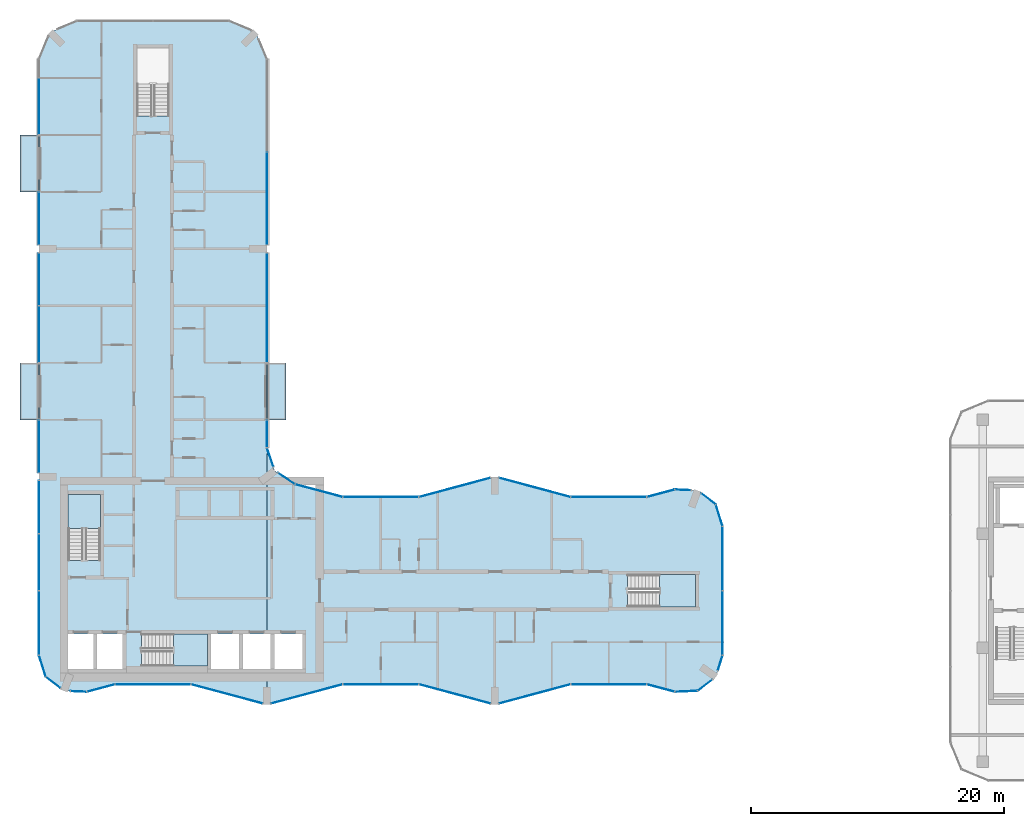
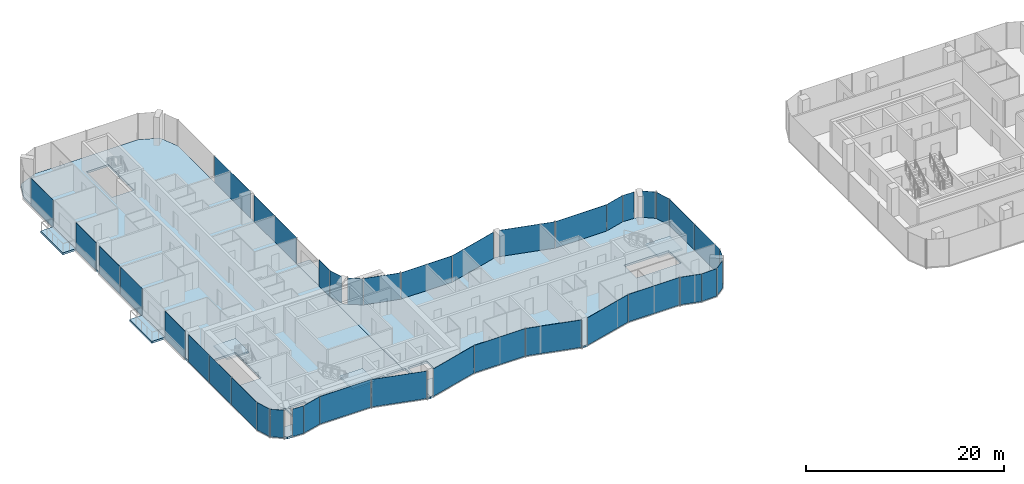
# One storey, part 11 of 22: 39 plates, 8 slabs, 38 elements without a shape of their own.
"""IFC4 building model written with IfcOpenShell, lengths in metres."""

from ifc_helpers import new_model, si_unit, direction, frame, origin, origin_2d, place, context, subcontext, project, spatial, polyline, rectangle, outline, extrude, material, layer, layer_set, type_object, element, aggregate, save


model = new_model("IFC4")

# Units and contexts
model_context = context("Model", 3, precision=1e-05, world=origin(), true_north=direction((0.0, 1.0)))
body_context = subcontext(model_context, "Body", "Model", "MODEL_VIEW")
ifc_project = project(units=[si_unit("LENGTHUNIT", "METRE"), si_unit("AREAUNIT", "SQUARE_METRE"), si_unit("VOLUMEUNIT", "CUBIC_METRE"), si_unit("PLANEANGLEUNIT", "RADIAN"), si_unit("MASSUNIT", "GRAM", prefix="KILO")], contexts=[model_context])

# Site, building, storey
site_placement = place(None, origin())
site = spatial("IfcSite", under=ifc_project, at=site_placement, CompositionType="ELEMENT")
building_placement = place(site_placement, origin())
building = spatial("IfcBuilding", under=site, at=building_placement, Name="Plateau Cross Towers", CompositionType="ELEMENT")
storey_placement = place(building_placement, frame((0.0, 0.0, 109.800048828125)))
storey = spatial("IfcBuildingStorey", under=building, at=storey_placement, Name="L28", CompositionType="ELEMENT", Elevation=109.800048828125)

# Slabs
ifc_material_1 = material(Name="Concrete C40/50", Category="concrete")
ifc_layer_1 = layer(ifc_material_1, 0.25)
ifc_layer_set_1 = layer_set([ifc_layer_1], Name="Concrete C40/50")
slab_type_1 = type_object("IfcSlabType", Name="Balcony slab 250", PredefinedType="FLOOR", material=ifc_layer_set_1)
slab_1_placement = place(storey_placement, frame((0.0, 0.0, -0.25)))
element("IfcSlab", 1, at=slab_1_placement, inside=storey, type_object=slab_type_1, Name="Balcony slab A-BAL-L28-01", PredefinedType="FLOOR", context=body_context, shape_type="SweptSolid", body=[
    extrude(outline(polyline([(0.0, 22.5), (0.0, 27.0), (-1.5, 27.0), (-1.5, 22.5), (0.0, 22.5)])), origin(), (0.0, 0.0, 1.0), 0.25),
])
slab_2_placement = place(storey_placement, frame((0.0, 0.0, -0.25)))
element("IfcSlab", 2, at=slab_2_placement, inside=storey, type_object=slab_type_1, Name="Balcony slab A-BAL-L28-02", PredefinedType="FLOOR", context=body_context, shape_type="SweptSolid", body=[
    extrude(outline(polyline([(0.0, 40.5), (0.0, 45.0), (-1.5, 45.0), (-1.5, 40.5), (0.0, 40.5)])), origin(), (0.0, 0.0, 1.0), 0.25),
])
slab_3_placement = place(storey_placement, frame((0.0, 0.0, -0.25)))
element("IfcSlab", 3, at=slab_3_placement, inside=storey, type_object=slab_type_1, Name="Balcony slab A-BAL-L28-03", PredefinedType="FLOOR", context=body_context, shape_type="SweptSolid", body=[
    extrude(outline(polyline([(19.5, 22.5), (19.5, 27.0), (18.0, 27.0), (18.0, 22.5), (19.5, 22.5)])), origin(), (0.0, 0.0, 1.0), 0.25),
])

# Curtain wall, plate
ifc_material_2 = material(Name="Dark low-iron glass", Category="glass")
ifc_layer_2 = layer(ifc_material_2, 0.239990234375)
ifc_layer_set_2 = layer_set([ifc_layer_2], Name="Dark low-iron glass")
curtain_wall_type_1 = type_object("IfcCurtainWallType", Name="Curtain wall flush unitised CW-B", PredefinedType="NOTDEFINED", material=ifc_layer_set_2)
curtain_wall_1_placement = place(storey_placement, origin())
curtain_wall_1 = element("IfcCurtainWall", 4, at=curtain_wall_1_placement, inside=storey, type_object=curtain_wall_type_1, Name="ENV/A/L28/A502_10", PredefinedType="NOTDEFINED")
ifc_layer_3 = layer(ifc_material_2, 0.031982421875)
ifc_layer_set_3 = layer_set([ifc_layer_3], Name="Dark low-iron glass")
plate_type_1 = type_object("IfcPlateType", Name="Glass panel 32 flush unitised", PredefinedType="CURTAIN_PANEL", material=ifc_layer_set_3)
plate_1_placement = place(storey_placement, frame((51.125, 1.05078125, -0.1298828125), z_axis=(0.0, 0.0, 1.0), x_axis=(0.999043701491, 0.043722791671, 0.0)))
plate_1 = element("IfcPlate", 5, at=plate_1_placement, type_object=plate_type_1, Name="CW-B panel 1", PredefinedType="CURTAIN_PANEL", context=body_context, shape_type="SweptSolid", body=[
    extrude(rectangle(XDim=1.744140625, YDim=0.031982421875, at=origin_2d()), origin(), (0.0, 0.0, 1.0), 3.3798828125),
])
aggregate(curtain_wall_1, [plate_1])

curtain_wall_2_placement = place(storey_placement, origin())
curtain_wall_2 = element("IfcCurtainWall", 6, at=curtain_wall_2_placement, inside=storey, type_object=curtain_wall_type_1, Name="ENV/A/L28/A520_11", PredefinedType="NOTDEFINED")
plate_2_placement = place(storey_placement, frame((52.60986328125, 1.5380859375, -0.1298828125), z_axis=(0.0, 0.0, 1.0), x_axis=(0.793315514529, 0.608810721331, 0.0)))
plate_2 = element("IfcPlate", 7, at=plate_2_placement, type_object=plate_type_1, Name="CW-B panel 1", PredefinedType="CURTAIN_PANEL", context=body_context, shape_type="SweptSolid", body=[
    extrude(rectangle(XDim=1.41162109375, YDim=0.031982421875, at=origin_2d()), origin(), (0.0, 0.0, 1.0), 3.3798828125),
])
aggregate(curtain_wall_2, [plate_2])

curtain_wall_3_placement = place(storey_placement, origin())
curtain_wall_3 = element("IfcCurtainWall", 8, at=curtain_wall_3_placement, inside=storey, type_object=curtain_wall_type_1, Name="ENV/A/L28/A536_27", PredefinedType="NOTDEFINED")
plate_3_placement = place(storey_placement, frame((53.805419921875, 3.292236328125, -0.1298828125), z_axis=(0.0, 0.0, 1.0), x_axis=(0.300686174994, 0.95372313811, 0.0)))
plate_3 = element("IfcPlate", 9, at=plate_3_placement, type_object=plate_type_1, Name="CW-B panel 1", PredefinedType="CURTAIN_PANEL", context=body_context, shape_type="SweptSolid", body=[
    extrude(rectangle(XDim=1.233642578125, YDim=0.031982421875, at=origin_2d()), origin(), (0.0, 0.0, 1.0), 3.3798828125),
])
aggregate(curtain_wall_3, [plate_3])

# Curtain wall, plates
curtain_wall_4_placement = place(storey_placement, origin())
curtain_wall_4 = element("IfcCurtainWall", 10, at=curtain_wall_4_placement, inside=storey, type_object=curtain_wall_type_1, Name="ENV/A/L28/A540_39", PredefinedType="NOTDEFINED")
plate_4_placement = place(storey_placement, frame((54.0, 6.45458984375, -0.1298828125), z_axis=(0.0, 0.0, 1.0), x_axis=(0.0, 1.0, 0.0)))
plate_4 = element("IfcPlate", 11, at=plate_4_placement, type_object=plate_type_1, Name="CW-B panel 1", PredefinedType="CURTAIN_PANEL", context=body_context, shape_type="SweptSolid", body=[
    extrude(rectangle(XDim=5.03076171875, YDim=0.031982421875, at=origin_2d()), origin(), (0.0, 0.0, 1.0), 3.3798828125),
])
plate_5_placement = place(storey_placement, frame((54.0, 11.54541015625, -0.1298828125), z_axis=(0.0, 0.0, 1.0), x_axis=(0.0, 1.0, 0.0)))
plate_5 = element("IfcPlate", 12, at=plate_5_placement, type_object=plate_type_1, Name="CW-B panel 2", PredefinedType="CURTAIN_PANEL", context=body_context, shape_type="SweptSolid", body=[
    extrude(rectangle(XDim=5.03076171875, YDim=0.031982421875, at=origin_2d()), origin(), (0.0, 0.0, 1.0), 3.3798828125),
])
aggregate(curtain_wall_4, [plate_4, plate_5])

# Curtain wall, plate
curtain_wall_5_placement = place(storey_placement, origin())
curtain_wall_5 = element("IfcCurtainWall", 13, at=curtain_wall_5_placement, inside=storey, type_object=curtain_wall_type_1, Name="ENV/A/L28/A540_141", PredefinedType="NOTDEFINED")
plate_6_placement = place(storey_placement, frame((53.728759765625, 14.951171875, -0.1298828125), z_axis=(0.0, 0.0, 1.0), x_axis=(-0.300686174994, 0.95372313811, 0.0)))
plate_6 = element("IfcPlate", 14, at=plate_6_placement, type_object=plate_type_1, Name="CW-B panel 1", PredefinedType="CURTAIN_PANEL", context=body_context, shape_type="SweptSolid", body=[
    extrude(rectangle(XDim=1.744140625, YDim=0.031982421875, at=origin_2d()), origin(), (0.0, 0.0, 1.0), 3.3798828125),
])
aggregate(curtain_wall_5, [plate_6])

curtain_wall_6_placement = place(storey_placement, origin())
curtain_wall_6 = element("IfcCurtainWall", 15, at=curtain_wall_6_placement, inside=storey, type_object=curtain_wall_type_1, Name="ENV/A/L28/A535_158", PredefinedType="NOTDEFINED")
plate_7_placement = place(storey_placement, frame((52.873779296875, 16.25927734375, -0.1298828125), z_axis=(0.0, 0.0, 1.0), x_axis=(-0.793315514529, 0.608810721331, 0.0)))
plate_7 = element("IfcPlate", 16, at=plate_7_placement, type_object=plate_type_1, Name="CW-B panel 1", PredefinedType="CURTAIN_PANEL", context=body_context, shape_type="SweptSolid", body=[
    extrude(rectangle(XDim=1.41162109375, YDim=0.031982421875, at=origin_2d()), origin(), (0.0, 0.0, 1.0), 3.3798828125),
])
aggregate(curtain_wall_6, [plate_7])

curtain_wall_7_placement = place(storey_placement, origin())
curtain_wall_7 = element("IfcCurtainWall", 17, at=curtain_wall_7_placement, inside=storey, type_object=curtain_wall_type_1, Name="ENV/A/L28/A515_169", PredefinedType="NOTDEFINED")
plate_8_placement = place(storey_placement, frame((50.8701171875, 16.96044921875, -0.1298828125), z_axis=(0.0, 0.0, 1.0), x_axis=(-0.999043701491, 0.043722791671, 0.0)))
plate_8 = element("IfcPlate", 18, at=plate_8_placement, type_object=plate_type_1, Name="CW-B panel 1", PredefinedType="CURTAIN_PANEL", context=body_context, shape_type="SweptSolid", body=[
    extrude(rectangle(XDim=1.233642578125, YDim=0.031982421875, at=origin_2d()), origin(), (0.0, 0.0, 1.0), 3.3798828125),
])
aggregate(curtain_wall_7, [plate_8])

curtain_wall_8_placement = place(storey_placement, origin())
curtain_wall_8 = element("IfcCurtainWall", 19, at=curtain_wall_8_placement, inside=storey, type_object=curtain_wall_type_1, Name="ENV/A/L28/A202_174", PredefinedType="NOTDEFINED")
plate_9_placement = place(storey_placement, frame((19.546630859375, 17.856689453125, -0.1298828125), z_axis=(0.0, 0.0, 1.0), x_axis=(-0.831521253329, 0.555492938984, 0.0)))
plate_9 = element("IfcPlate", 20, at=plate_9_placement, type_object=plate_type_1, Name="CW-B panel 1", PredefinedType="CURTAIN_PANEL", context=body_context, shape_type="SweptSolid", body=[
    extrude(rectangle(XDim=1.56884765625, YDim=0.031982421875, at=origin_2d()), origin(), (0.0, 0.0, 1.0), 3.3798828125),
])
aggregate(curtain_wall_8, [plate_9])

curtain_wall_9_placement = place(storey_placement, origin())
curtain_wall_9 = element("IfcCurtainWall", 21, at=curtain_wall_9_placement, inside=storey, type_object=curtain_wall_type_1, Name="ENV/A/L28/A185_188", PredefinedType="NOTDEFINED")
plate_10_placement = place(storey_placement, frame((18.26171875, 19.531005859375, -0.1298828125), z_axis=(0.0, 0.0, 1.0), x_axis=(-0.321469161574, 0.94692004845, 0.0)))
plate_10 = element("IfcPlate", 22, at=plate_10_placement, type_object=plate_type_1, Name="CW-B panel 1", PredefinedType="CURTAIN_PANEL", context=body_context, shape_type="SweptSolid", body=[
    extrude(rectangle(XDim=1.56884765625, YDim=0.031982421875, at=origin_2d()), origin(), (0.0, 0.0, 1.0), 3.3798828125),
])
aggregate(curtain_wall_9, [plate_10])

curtain_wall_10_placement = place(storey_placement, origin())
curtain_wall_10 = element("IfcCurtainWall", 23, at=curtain_wall_10_placement, inside=storey, type_object=curtain_wall_type_1, Name="ENV/A/L28/A180_203", PredefinedType="NOTDEFINED")
plate_11_placement = place(storey_placement, frame((18.0, 21.396240234375, -0.1298828125), z_axis=(0.0, 0.0, 1.0), x_axis=(0.0, 1.0, 0.0)))
plate_11 = element("IfcPlate", 24, at=plate_11_placement, type_object=plate_type_1, Name="CW-B panel 1", PredefinedType="CURTAIN_PANEL", context=body_context, shape_type="SweptSolid", body=[
    extrude(rectangle(XDim=2.127685546875, YDim=0.031982421875, at=origin_2d()), origin(), (0.0, 0.0, 1.0), 3.3798828125),
])
aggregate(curtain_wall_10, [plate_11])

curtain_wall_11_placement = place(storey_placement, origin())
curtain_wall_11 = element("IfcCurtainWall", 25, at=curtain_wall_11_placement, inside=storey, type_object=curtain_wall_type_1, Name="ENV/A/L28/A180_270", PredefinedType="NOTDEFINED")
plate_12_placement = place(storey_placement, frame((18.0, 31.35498046875, -0.1298828125), z_axis=(0.0, 0.0, 1.0), x_axis=(0.0, 1.0, 0.0)))
plate_12 = element("IfcPlate", 26, at=plate_12_placement, type_object=plate_type_1, Name="CW-B panel 1", PredefinedType="CURTAIN_PANEL", context=body_context, shape_type="SweptSolid", body=[
    extrude(rectangle(XDim=8.6298828125, YDim=0.031982421875, at=origin_2d()), origin(), (0.0, 0.0, 1.0), 3.3798828125),
])
aggregate(curtain_wall_11, [plate_12])

curtain_wall_12_placement = place(storey_placement, origin())
curtain_wall_12 = element("IfcCurtainWall", 27, at=curtain_wall_12_placement, inside=storey, type_object=curtain_wall_type_1, Name="ENV/A/L28/A180_363", PredefinedType="NOTDEFINED")
plate_13_placement = place(storey_placement, frame((18.0, 39.97509765625, -0.1298828125), z_axis=(0.0, 0.0, 1.0), x_axis=(0.0, 1.0, 0.0)))
plate_13 = element("IfcPlate", 28, at=plate_13_placement, type_object=plate_type_1, Name="CW-B panel 1", PredefinedType="CURTAIN_PANEL", context=body_context, shape_type="SweptSolid", body=[
    extrude(rectangle(XDim=7.2900390625, YDim=0.031982421875, at=origin_2d()), origin(), (0.0, 0.0, 1.0), 3.3798828125),
])
aggregate(curtain_wall_12, [plate_13])

curtain_wall_13_placement = place(storey_placement, origin())
curtain_wall_13 = element("IfcCurtainWall", 29, at=curtain_wall_13_placement, inside=storey, type_object=curtain_wall_type_1, Name="ENV/A/L28/A0_510", PredefinedType="NOTDEFINED")
plate_14_placement = place(storey_placement, frame((0.0, 47.2548828125, -0.1298828125), z_axis=(0.0, 0.0, 1.0), x_axis=(0.0, -1.0, 0.0)))
plate_14 = element("IfcPlate", 30, at=plate_14_placement, type_object=plate_type_1, Name="CW-B panel 2", PredefinedType="CURTAIN_PANEL", context=body_context, shape_type="SweptSolid", body=[
    extrude(rectangle(XDim=4.429931640625, YDim=0.031982421875, at=origin_2d()), origin(), (0.0, 0.0, 1.0), 3.3798828125),
])
aggregate(curtain_wall_13, [plate_14])

curtain_wall_14_placement = place(storey_placement, origin())
curtain_wall_14 = element("IfcCurtainWall", 31, at=curtain_wall_14_placement, inside=storey, type_object=curtain_wall_type_1, Name="ENV/A/L28/A0_405", PredefinedType="NOTDEFINED")
plate_15_placement = place(storey_placement, frame((0.0, 38.39501953125, -0.1298828125), z_axis=(0.0, 0.0, 1.0), x_axis=(0.0, -1.0, 0.0)))
plate_15 = element("IfcPlate", 32, at=plate_15_placement, type_object=plate_type_1, Name="CW-B panel 1", PredefinedType="CURTAIN_PANEL", context=body_context, shape_type="SweptSolid", body=[
    extrude(rectangle(XDim=4.1298828125, YDim=0.031982421875, at=origin_2d()), origin(), (0.0, 0.0, 1.0), 3.3798828125),
])
aggregate(curtain_wall_14, [plate_15])

# Curtain wall, plates
curtain_wall_15_placement = place(storey_placement, origin())
curtain_wall_15 = element("IfcCurtainWall", 33, at=curtain_wall_15_placement, inside=storey, type_object=curtain_wall_type_1, Name="ENV/A/L28/A0_357", PredefinedType="NOTDEFINED")
plate_16_placement = place(storey_placement, frame((0.0, 33.60009765625, -0.1298828125), z_axis=(0.0, 0.0, 1.0), x_axis=(0.0, -1.0, 0.0)))
plate_16 = element("IfcPlate", 34, at=plate_16_placement, type_object=plate_type_1, Name="CW-B panel 1", PredefinedType="CURTAIN_PANEL", context=body_context, shape_type="SweptSolid", body=[
    extrude(rectangle(XDim=4.139892578125, YDim=0.031982421875, at=origin_2d()), origin(), (0.0, 0.0, 1.0), 3.3798828125),
])
plate_17_placement = place(storey_placement, frame((0.0, 29.2548828125, -0.1298828125), z_axis=(0.0, 0.0, 1.0), x_axis=(0.0, -1.0, 0.0)))
plate_17 = element("IfcPlate", 35, at=plate_17_placement, type_object=plate_type_1, Name="CW-B panel 2", PredefinedType="CURTAIN_PANEL", context=body_context, shape_type="SweptSolid", body=[
    extrude(rectangle(XDim=4.429931640625, YDim=0.031982421875, at=origin_2d()), origin(), (0.0, 0.0, 1.0), 3.3798828125),
])
aggregate(curtain_wall_15, [plate_16, plate_17])

# Curtain wall, plate
curtain_wall_16_placement = place(storey_placement, origin())
curtain_wall_16 = element("IfcCurtainWall", 36, at=curtain_wall_16_placement, inside=storey, type_object=curtain_wall_type_1, Name="ENV/A/L28/A0_225", PredefinedType="NOTDEFINED")
plate_18_placement = place(storey_placement, frame((0.0, 20.39501953125, -0.1298828125), z_axis=(0.0, 0.0, 1.0), x_axis=(0.0, -1.0, 0.0)))
plate_18 = element("IfcPlate", 37, at=plate_18_placement, type_object=plate_type_1, Name="CW-B panel 1", PredefinedType="CURTAIN_PANEL", context=body_context, shape_type="SweptSolid", body=[
    extrude(rectangle(XDim=4.1298828125, YDim=0.031982421875, at=origin_2d()), origin(), (0.0, 0.0, 1.0), 3.3798828125),
])
aggregate(curtain_wall_16, [plate_18])

# Curtain wall, plates
curtain_wall_17_placement = place(storey_placement, origin())
curtain_wall_17 = element("IfcCurtainWall", 38, at=curtain_wall_17_placement, inside=storey, type_object=curtain_wall_type_1, Name="ENV/A/L28/A0_177", PredefinedType="NOTDEFINED")
plate_19_placement = place(storey_placement, frame((0.0, 15.60009765625, -0.1298828125), z_axis=(0.0, 0.0, 1.0), x_axis=(0.0, -1.0, 0.0)))
plate_19 = element("IfcPlate", 39, at=plate_19_placement, type_object=plate_type_1, Name="CW-B panel 1", PredefinedType="CURTAIN_PANEL", context=body_context, shape_type="SweptSolid", body=[
    extrude(rectangle(XDim=4.139892578125, YDim=0.031982421875, at=origin_2d()), origin(), (0.0, 0.0, 1.0), 3.3798828125),
])
plate_20_placement = place(storey_placement, frame((0.0, 11.25, -0.1298828125), z_axis=(0.0, 0.0, 1.0), x_axis=(0.0, -1.0, 0.0)))
plate_20 = element("IfcPlate", 40, at=plate_20_placement, type_object=plate_type_1, Name="CW-B panel 2", PredefinedType="CURTAIN_PANEL", context=body_context, shape_type="SweptSolid", body=[
    extrude(rectangle(XDim=4.43994140625, YDim=0.031982421875, at=origin_2d()), origin(), (0.0, 0.0, 1.0), 3.3798828125),
])
plate_21_placement = place(storey_placement, frame((0.0, 6.45458984375, -0.1298828125), z_axis=(0.0, 0.0, 1.0), x_axis=(0.0, -1.0, 0.0)))
plate_21 = element("IfcPlate", 41, at=plate_21_placement, type_object=plate_type_1, Name="CW-B panel 3", PredefinedType="CURTAIN_PANEL", context=body_context, shape_type="SweptSolid", body=[
    extrude(rectangle(XDim=5.03076171875, YDim=0.031982421875, at=origin_2d()), origin(), (0.0, 0.0, 1.0), 3.3798828125),
])
aggregate(curtain_wall_17, [plate_19, plate_20, plate_21])

# Curtain wall, plate
curtain_wall_18_placement = place(storey_placement, origin())
curtain_wall_18 = element("IfcCurtainWall", 42, at=curtain_wall_18_placement, inside=storey, type_object=curtain_wall_type_1, Name="ENV/A/L28/A0_39", PredefinedType="NOTDEFINED")
plate_22_placement = place(storey_placement, frame((0.271240234375, 3.048828125, -0.1298828125), z_axis=(0.0, 0.0, 1.0), x_axis=(0.300686174994, -0.95372313811, 0.0)))
plate_22 = element("IfcPlate", 43, at=plate_22_placement, type_object=plate_type_1, Name="CW-B panel 1", PredefinedType="CURTAIN_PANEL", context=body_context, shape_type="SweptSolid", body=[
    extrude(rectangle(XDim=1.744140625, YDim=0.031982421875, at=origin_2d()), origin(), (0.0, 0.0, 1.0), 3.3798828125),
])
aggregate(curtain_wall_18, [plate_22])

curtain_wall_19_placement = place(storey_placement, origin())
curtain_wall_19 = element("IfcCurtainWall", 44, at=curtain_wall_19_placement, inside=storey, type_object=curtain_wall_type_1, Name="ENV/A/L28/A5_22", PredefinedType="NOTDEFINED")
plate_23_placement = place(storey_placement, frame((1.126220703125, 1.74072265625, -0.1298828125), z_axis=(0.0, 0.0, 1.0), x_axis=(0.793315514529, -0.608810721331, 0.0)))
plate_23 = element("IfcPlate", 45, at=plate_23_placement, type_object=plate_type_1, Name="CW-B panel 1", PredefinedType="CURTAIN_PANEL", context=body_context, shape_type="SweptSolid", body=[
    extrude(rectangle(XDim=1.41162109375, YDim=0.031982421875, at=origin_2d()), origin(), (0.0, 0.0, 1.0), 3.3798828125),
])
aggregate(curtain_wall_19, [plate_23])

curtain_wall_20_placement = place(storey_placement, origin())
curtain_wall_20 = element("IfcCurtainWall", 46, at=curtain_wall_20_placement, inside=storey, type_object=curtain_wall_type_1, Name="ENV/A/L28/A25_11", PredefinedType="NOTDEFINED")
plate_24_placement = place(storey_placement, frame((3.1298828125, 1.03955078125, -0.1298828125), z_axis=(0.0, 0.0, 1.0), x_axis=(0.999043701491, -0.043722791671, 0.0)))
plate_24 = element("IfcPlate", 47, at=plate_24_placement, type_object=plate_type_1, Name="CW-B panel 1", PredefinedType="CURTAIN_PANEL", context=body_context, shape_type="SweptSolid", body=[
    extrude(rectangle(XDim=1.233642578125, YDim=0.031982421875, at=origin_2d()), origin(), (0.0, 0.0, 1.0), 3.3798828125),
])
aggregate(curtain_wall_20, [plate_24])

ifc_layer_4 = layer(ifc_material_2, 0.260009765625)
ifc_layer_set_4 = layer_set([ifc_layer_4], Name="Dark low-iron glass")
curtain_wall_type_2 = type_object("IfcCurtainWallType", Name="Curtain wall fluted unitised CW-A", PredefinedType="NOTDEFINED", material=ifc_layer_set_4)
curtain_wall_21_placement = place(storey_placement, origin())
curtain_wall_21 = element("IfcCurtainWall", 48, at=curtain_wall_21_placement, inside=storey, type_object=curtain_wall_type_2, Name="ENV/A/L28/A38_10", PredefinedType="NOTDEFINED")
ifc_layer_5 = layer(ifc_material_2, 0.035888671875)
ifc_layer_set_5 = layer_set([ifc_layer_5], Name="Dark low-iron glass")
plate_type_2 = type_object("IfcPlateType", Name="Glass panel 36 fluted unitised", PredefinedType="CURTAIN_PANEL", material=ifc_layer_set_5)
plate_25_placement = place(storey_placement, frame((4.887939453125, 1.30908203125, -0.1298828125), z_axis=(0.0, 0.0, 1.0), x_axis=(0.965957962328, 0.258699081978, 0.0)))
plate_25 = element("IfcPlate", 49, at=plate_25_placement, type_object=plate_type_2, Name="CW-A panel 1", PredefinedType="CURTAIN_PANEL", context=body_context, shape_type="SweptSolid", body=[
    extrude(rectangle(XDim=2.2421875, YDim=0.035888671875, at=origin_2d()), origin(), (0.0, 0.0, 1.0), 3.3798828125),
])
aggregate(curtain_wall_21, [plate_25])

curtain_wall_22_placement = place(storey_placement, origin())
curtain_wall_22 = element("IfcCurtainWall", 50, at=curtain_wall_22_placement, inside=storey, type_object=curtain_wall_type_2, Name="ENV/A/L28/A60_16", PredefinedType="NOTDEFINED")
plate_26_placement = place(storey_placement, frame((9.0, 1.60693359375, -0.1298828125), z_axis=(0.0, 0.0, 1.0), x_axis=(1.0, 0.0, 0.0)))
plate_26 = element("IfcPlate", 51, at=plate_26_placement, type_object=plate_type_2, Name="CW-A panel 1", PredefinedType="CURTAIN_PANEL", context=body_context, shape_type="SweptSolid", body=[
    extrude(rectangle(XDim=5.93994140625, YDim=0.035888671875, at=origin_2d()), origin(), (0.0, 0.0, 1.0), 3.3798828125),
])
aggregate(curtain_wall_22, [plate_26])

curtain_wall_23_placement = place(storey_placement, origin())
curtain_wall_23 = element("IfcCurtainWall", 52, at=curtain_wall_23_placement, inside=storey, type_object=curtain_wall_type_2, Name="ENV/A/L28/A120_16", PredefinedType="NOTDEFINED")
plate_27_placement = place(storey_placement, frame((14.841064453125, 0.845947265625, -0.1298828125), z_axis=(0.0, 0.0, 1.0), x_axis=(0.965957983404, -0.258699003279, 0.0)))
plate_27 = element("IfcPlate", 53, at=plate_27_placement, type_object=plate_type_2, Name="CW-A panel 1", PredefinedType="CURTAIN_PANEL", context=body_context, shape_type="SweptSolid", body=[
    extrude(rectangle(XDim=5.822265625, YDim=0.035888671875, at=origin_2d()), origin(), (0.0, 0.0, 1.0), 3.3798828125),
])
aggregate(curtain_wall_23, [plate_27])

curtain_wall_24_placement = place(storey_placement, origin())
curtain_wall_24 = element("IfcCurtainWall", 54, at=curtain_wall_24_placement, inside=storey, type_object=curtain_wall_type_2, Name="ENV/A/L28/A183_1", PredefinedType="NOTDEFINED")
plate_28_placement = place(storey_placement, frame((21.158935546875, 0.845947265625, -0.1298828125), z_axis=(0.0, 0.0, 1.0), x_axis=(0.965957983404, 0.258699003279, 0.0)))
plate_28 = element("IfcPlate", 55, at=plate_28_placement, type_object=plate_type_2, Name="CW-A panel 1", PredefinedType="CURTAIN_PANEL", context=body_context, shape_type="SweptSolid", body=[
    extrude(rectangle(XDim=5.822265625, YDim=0.035888671875, at=origin_2d()), origin(), (0.0, 0.0, 1.0), 3.3798828125),
])
aggregate(curtain_wall_24, [plate_28])

curtain_wall_25_placement = place(storey_placement, origin())
curtain_wall_25 = element("IfcCurtainWall", 56, at=curtain_wall_25_placement, inside=storey, type_object=curtain_wall_type_2, Name="ENV/A/L28/A240_16", PredefinedType="NOTDEFINED")
plate_29_placement = place(storey_placement, frame((27.0, 1.60693359375, -0.1298828125), z_axis=(0.0, 0.0, 1.0), x_axis=(1.0, 0.0, 0.0)))
plate_29 = element("IfcPlate", 57, at=plate_29_placement, type_object=plate_type_2, Name="CW-A panel 1", PredefinedType="CURTAIN_PANEL", context=body_context, shape_type="SweptSolid", body=[
    extrude(rectangle(XDim=5.93994140625, YDim=0.035888671875, at=origin_2d()), origin(), (0.0, 0.0, 1.0), 3.3798828125),
])
aggregate(curtain_wall_25, [plate_29])

curtain_wall_26_placement = place(storey_placement, origin())
curtain_wall_26 = element("IfcCurtainWall", 58, at=curtain_wall_26_placement, inside=storey, type_object=curtain_wall_type_2, Name="ENV/A/L28/A300_16", PredefinedType="NOTDEFINED")
plate_30_placement = place(storey_placement, frame((32.841064453125, 0.845947265625, -0.1298828125), z_axis=(0.0, 0.0, 1.0), x_axis=(0.965957983404, -0.258699003279, 0.0)))
plate_30 = element("IfcPlate", 59, at=plate_30_placement, type_object=plate_type_2, Name="CW-A panel 1", PredefinedType="CURTAIN_PANEL", context=body_context, shape_type="SweptSolid", body=[
    extrude(rectangle(XDim=5.822265625, YDim=0.035888671875, at=origin_2d()), origin(), (0.0, 0.0, 1.0), 3.3798828125),
])
aggregate(curtain_wall_26, [plate_30])

curtain_wall_27_placement = place(storey_placement, origin())
curtain_wall_27 = element("IfcCurtainWall", 60, at=curtain_wall_27_placement, inside=storey, type_object=curtain_wall_type_2, Name="ENV/A/L28/A363_1", PredefinedType="NOTDEFINED")
plate_31_placement = place(storey_placement, frame((39.158935546875, 0.845947265625, -0.1298828125), z_axis=(0.0, 0.0, 1.0), x_axis=(0.965957983404, 0.258699003279, 0.0)))
plate_31 = element("IfcPlate", 61, at=plate_31_placement, type_object=plate_type_2, Name="CW-A panel 1", PredefinedType="CURTAIN_PANEL", context=body_context, shape_type="SweptSolid", body=[
    extrude(rectangle(XDim=5.822265625, YDim=0.035888671875, at=origin_2d()), origin(), (0.0, 0.0, 1.0), 3.3798828125),
])
aggregate(curtain_wall_27, [plate_31])

curtain_wall_28_placement = place(storey_placement, origin())
curtain_wall_28 = element("IfcCurtainWall", 62, at=curtain_wall_28_placement, inside=storey, type_object=curtain_wall_type_2, Name="ENV/A/L28/A420_16", PredefinedType="NOTDEFINED")
plate_32_placement = place(storey_placement, frame((45.0, 1.60693359375, -0.1298828125), z_axis=(0.0, 0.0, 1.0), x_axis=(1.0, 0.0, 0.0)))
plate_32 = element("IfcPlate", 63, at=plate_32_placement, type_object=plate_type_2, Name="CW-A panel 1", PredefinedType="CURTAIN_PANEL", context=body_context, shape_type="SweptSolid", body=[
    extrude(rectangle(XDim=5.93994140625, YDim=0.035888671875, at=origin_2d()), origin(), (0.0, 0.0, 1.0), 3.3798828125),
])
aggregate(curtain_wall_28, [plate_32])

curtain_wall_29_placement = place(storey_placement, origin())
curtain_wall_29 = element("IfcCurtainWall", 64, at=curtain_wall_29_placement, inside=storey, type_object=curtain_wall_type_2, Name="ENV/A/L28/A480_16", PredefinedType="NOTDEFINED")
plate_33_placement = place(storey_placement, frame((49.112060546875, 1.30908203125, -0.1298828125), z_axis=(0.0, 0.0, 1.0), x_axis=(0.965957962328, -0.258699081978, 0.0)))
plate_33 = element("IfcPlate", 65, at=plate_33_placement, type_object=plate_type_2, Name="CW-A panel 1", PredefinedType="CURTAIN_PANEL", context=body_context, shape_type="SweptSolid", body=[
    extrude(rectangle(XDim=2.2421875, YDim=0.035888671875, at=origin_2d()), origin(), (0.0, 0.0, 1.0), 3.3798828125),
])
aggregate(curtain_wall_29, [plate_33])

curtain_wall_30_placement = place(storey_placement, origin())
curtain_wall_30 = element("IfcCurtainWall", 66, at=curtain_wall_30_placement, inside=storey, type_object=curtain_wall_type_2, Name="ENV/A/L28/A502_170", PredefinedType="NOTDEFINED")
plate_34_placement = place(storey_placement, frame((49.112060546875, 16.69091796875, -0.1298828125), z_axis=(0.0, 0.0, 1.0), x_axis=(-0.965957962328, -0.258699081978, 0.0)))
plate_34 = element("IfcPlate", 67, at=plate_34_placement, type_object=plate_type_2, Name="CW-A panel 1", PredefinedType="CURTAIN_PANEL", context=body_context, shape_type="SweptSolid", body=[
    extrude(rectangle(XDim=2.2421875, YDim=0.035888671875, at=origin_2d()), origin(), (0.0, 0.0, 1.0), 3.3798828125),
])
aggregate(curtain_wall_30, [plate_34])

curtain_wall_31_placement = place(storey_placement, origin())
curtain_wall_31 = element("IfcCurtainWall", 68, at=curtain_wall_31_placement, inside=storey, type_object=curtain_wall_type_2, Name="ENV/A/L28/A480_164", PredefinedType="NOTDEFINED")
plate_35_placement = place(storey_placement, frame((45.0, 16.39306640625, -0.1298828125), z_axis=(0.0, 0.0, 1.0), x_axis=(-1.0, 0.0, 0.0)))
plate_35 = element("IfcPlate", 69, at=plate_35_placement, type_object=plate_type_2, Name="CW-A panel 1", PredefinedType="CURTAIN_PANEL", context=body_context, shape_type="SweptSolid", body=[
    extrude(rectangle(XDim=5.93994140625, YDim=0.035888671875, at=origin_2d()), origin(), (0.0, 0.0, 1.0), 3.3798828125),
])
aggregate(curtain_wall_31, [plate_35])

curtain_wall_32_placement = place(storey_placement, origin())
curtain_wall_32 = element("IfcCurtainWall", 70, at=curtain_wall_32_placement, inside=storey, type_object=curtain_wall_type_2, Name="ENV/A/L28/A420_164", PredefinedType="NOTDEFINED")
plate_36_placement = place(storey_placement, frame((39.158935546875, 17.154052734375, -0.1298828125), z_axis=(0.0, 0.0, 1.0), x_axis=(-0.965957983404, 0.258699003279, 0.0)))
plate_36 = element("IfcPlate", 71, at=plate_36_placement, type_object=plate_type_2, Name="CW-A panel 1", PredefinedType="CURTAIN_PANEL", context=body_context, shape_type="SweptSolid", body=[
    extrude(rectangle(XDim=5.822265625, YDim=0.035888671875, at=origin_2d()), origin(), (0.0, 0.0, 1.0), 3.3798828125),
])
aggregate(curtain_wall_32, [plate_36])

curtain_wall_33_placement = place(storey_placement, origin())
curtain_wall_33 = element("IfcCurtainWall", 72, at=curtain_wall_33_placement, inside=storey, type_object=curtain_wall_type_2, Name="ENV/A/L28/A357_179", PredefinedType="NOTDEFINED")
plate_37_placement = place(storey_placement, frame((32.841064453125, 17.154052734375, -0.1298828125), z_axis=(0.0, 0.0, 1.0), x_axis=(-0.965957983404, -0.258699003279, 0.0)))
plate_37 = element("IfcPlate", 73, at=plate_37_placement, type_object=plate_type_2, Name="CW-A panel 1", PredefinedType="CURTAIN_PANEL", context=body_context, shape_type="SweptSolid", body=[
    extrude(rectangle(XDim=5.822265625, YDim=0.035888671875, at=origin_2d()), origin(), (0.0, 0.0, 1.0), 3.3798828125),
])
aggregate(curtain_wall_33, [plate_37])

curtain_wall_34_placement = place(storey_placement, origin())
curtain_wall_34 = element("IfcCurtainWall", 74, at=curtain_wall_34_placement, inside=storey, type_object=curtain_wall_type_2, Name="ENV/A/L28/A300_164", PredefinedType="NOTDEFINED")
plate_38_placement = place(storey_placement, frame((27.0, 16.39306640625, -0.1298828125), z_axis=(0.0, 0.0, 1.0), x_axis=(-1.0, 0.0, 0.0)))
plate_38 = element("IfcPlate", 75, at=plate_38_placement, type_object=plate_type_2, Name="CW-A panel 1", PredefinedType="CURTAIN_PANEL", context=body_context, shape_type="SweptSolid", body=[
    extrude(rectangle(XDim=5.93994140625, YDim=0.035888671875, at=origin_2d()), origin(), (0.0, 0.0, 1.0), 3.3798828125),
])
aggregate(curtain_wall_34, [plate_38])

curtain_wall_35_placement = place(storey_placement, origin())
curtain_wall_35 = element("IfcCurtainWall", 76, at=curtain_wall_35_placement, inside=storey, type_object=curtain_wall_type_2, Name="ENV/A/L28/A240_164", PredefinedType="NOTDEFINED")
plate_39_placement = place(storey_placement, frame((22.112060546875, 16.898681640625, -0.1298828125), z_axis=(0.0, 0.0, 1.0), x_axis=(-0.965957995816, 0.258698956933, 0.0)))
plate_39 = element("IfcPlate", 77, at=plate_39_placement, type_object=plate_type_2, Name="CW-A panel 1", PredefinedType="CURTAIN_PANEL", context=body_context, shape_type="SweptSolid", body=[
    extrude(rectangle(XDim=3.84912109375, YDim=0.035888671875, at=origin_2d()), origin(), (0.0, 0.0, 1.0), 3.3798828125),
])
aggregate(curtain_wall_35, [plate_39])

# Slabs
ifc_layer_6 = layer(ifc_material_1, 0.25)
ifc_layer_set_6 = layer_set([ifc_layer_6], Name="Concrete C40/50")
slab_type_2 = type_object("IfcSlabType", Name="Post-tensioned flat plate slab 250", PredefinedType="FLOOR", material=ifc_layer_set_6)
slab_4_placement = place(storey_placement, frame((0.0, 0.0, -0.25)))
element("IfcSlab", 78, at=slab_4_placement, inside=storey, type_object=slab_type_2, Name="SL-A-L28 1", PredefinedType="FLOOR", context=body_context, shape_type="SweptSolid", body=[
    extrude(outline(polyline([(0.54248046875, 2.1884765625), (0.0, 3.9091796875), (0.0, 51.0), (0.878662109375, 53.121337890625), (3.0, 54.0), (15.0, 54.0), (17.121337890625, 53.121337890625), (18.0, 51.0), (18.0, 20.30224609375), (18.0, 5.60009765625), (16.10009765625, 5.60009765625), (16.10009765625, 2.800048828125), (18.0, 2.800048828125), (18.0, 0.0), (12.0, 1.60693359375), (6.0, 1.60693359375), (3.776123046875, 1.01123046875), (1.9736328125, 1.090087890625), (0.54248046875, 2.1884765625)]), holes=[polyline([(4.300048828125, 5.60009765625), (2.300048828125, 5.60009765625), (2.300048828125, 2.800048828125), (4.300048828125, 2.800048828125), (4.300048828125, 5.60009765625)]), polyline([(6.60009765625, 5.60009765625), (4.60009765625, 5.60009765625), (4.60009765625, 2.800048828125), (6.60009765625, 2.800048828125), (6.60009765625, 5.60009765625)]), polyline([(15.800048828125, 5.60009765625), (13.60009765625, 5.60009765625), (13.60009765625, 2.800048828125), (15.800048828125, 2.800048828125), (15.800048828125, 5.60009765625)]), polyline([(13.300048828125, 5.60009765625), (8.10009765625, 5.60009765625), (8.10009765625, 3.050048828125), (13.300048828125, 3.050048828125), (13.300048828125, 5.60009765625)]), polyline([(4.85009765625, 16.60009765625), (2.300048828125, 16.60009765625), (2.300048828125, 11.39990234375), (4.85009765625, 11.39990234375), (4.85009765625, 16.60009765625)]), polyline([(7.72509765625, 51.699951171875), (7.72509765625, 46.5), (10.27490234375, 46.5), (10.27490234375, 51.699951171875), (7.72509765625, 51.699951171875)])]), origin(), (0.0, 0.0, 1.0), 0.25),
])
slab_5_placement = place(storey_placement, frame((0.0, 0.0, -0.25)))
element("IfcSlab", 79, at=slab_5_placement, inside=storey, type_object=slab_type_2, Name="SL-A-L28 2", PredefinedType="FLOOR", context=body_context, shape_type="SweptSolid", body=[
    extrude(outline(polyline([(18.6201171875, 18.475830078125), (20.223876953125, 17.404296875), (24.0, 16.39306640625), (30.0, 16.39306640625), (36.0, 18.0), (42.0, 16.39306640625), (48.0, 16.39306640625), (50.223876953125, 16.98876953125), (52.0263671875, 16.909912109375), (53.45751953125, 15.8115234375), (54.0, 14.0908203125), (54.0, 3.9091796875), (53.45751953125, 2.1884765625), (52.0263671875, 1.090087890625), (50.223876953125, 1.01123046875), (48.0, 1.60693359375), (42.0, 1.60693359375), (36.0, 0.0), (30.0, 1.60693359375), (24.0, 1.60693359375), (18.0, 0.0), (18.0, 2.800048828125), (18.300048828125, 2.800048828125), (18.300048828125, 5.60009765625), (18.0, 5.60009765625), (18.0, 20.30224609375), (18.6201171875, 18.475830078125)]), holes=[polyline([(20.800048828125, 5.60009765625), (18.60009765625, 5.60009765625), (18.60009765625, 2.800048828125), (20.800048828125, 2.800048828125), (20.800048828125, 5.60009765625)]), polyline([(51.699951171875, 7.72509765625), (51.699951171875, 10.27490234375), (46.5, 10.27490234375), (46.5, 7.72509765625), (51.699951171875, 7.72509765625)])]), origin(), (0.0, 0.0, 1.0), 0.25),
])

# Stair, slab
stair_type = type_object("IfcStairType", Name="ST-TWR", PredefinedType="HALF_TURN_STAIR", material=ifc_material_1)
stair_1_placement = place(storey_placement, origin())
stair_1 = element("IfcStair", 80, at=stair_1_placement, inside=storey, type_object=stair_type, Name="L28 Protected Exit Stair ST-1", PredefinedType="HALF_TURN_STAIR")
ifc_layer_7 = layer(ifc_material_1, 0.199951171875)
ifc_layer_set_7 = layer_set([ifc_layer_7], Name="Concrete C40/50")
slab_type_3 = type_object("IfcSlabType", Name="SL-LANDING", PredefinedType="LANDING", material=ifc_layer_set_7)
slab_6_placement = place(storey_placement, frame((0.0, 0.0, 1.550048828125)))
slab_6 = element("IfcSlab", 81, at=slab_6_placement, type_object=slab_type_3, Name="ST-1 landing 1", PredefinedType="LANDING", context=body_context, shape_type="SweptSolid", body=[
    extrude(outline(polyline([(4.85009765625, 13.919921875), (4.85009765625, 16.60009765625), (2.300048828125, 16.60009765625), (2.300048828125, 13.919921875), (4.85009765625, 13.919921875)])), origin(), (0.0, 0.0, 1.0), 0.199951171875),
])
aggregate(stair_1, [slab_6])

stair_2_placement = place(storey_placement, origin())
stair_2 = element("IfcStair", 82, at=stair_2_placement, inside=storey, type_object=stair_type, Name="L28 Protected Exit Stair ST-2", PredefinedType="HALF_TURN_STAIR")
slab_7_placement = place(storey_placement, frame((0.0, 0.0, 1.550048828125)))
slab_7 = element("IfcSlab", 83, at=slab_7_placement, type_object=slab_type_3, Name="ST-2 landing 1", PredefinedType="LANDING", context=body_context, shape_type="SweptSolid", body=[
    extrude(outline(polyline([(10.6201171875, 3.050048828125), (13.300048828125, 3.050048828125), (13.300048828125, 5.60009765625), (10.6201171875, 5.60009765625), (10.6201171875, 3.050048828125)])), origin(), (0.0, 0.0, 1.0), 0.199951171875),
])
aggregate(stair_2, [slab_7])

stair_3_placement = place(storey_placement, origin())
stair_3 = element("IfcStair", 84, at=stair_3_placement, inside=storey, type_object=stair_type, Name="L28 Protected Exit Stair E", PredefinedType="HALF_TURN_STAIR")
slab_8_placement = place(storey_placement, frame((0.0, 0.0, 1.550048828125)))
slab_8 = element("IfcSlab", 85, at=slab_8_placement, type_object=slab_type_3, Name="ES-E landing 1", PredefinedType="LANDING", context=body_context, shape_type="SweptSolid", body=[
    extrude(outline(polyline([(49.02001953125, 7.72509765625), (51.85009765625, 7.72509765625), (51.85009765625, 10.27490234375), (49.02001953125, 10.27490234375), (49.02001953125, 7.72509765625)])), origin(), (0.0, 0.0, 1.0), 0.199951171875),
])
aggregate(stair_3, [slab_8])

save(model, "model.ifc")
